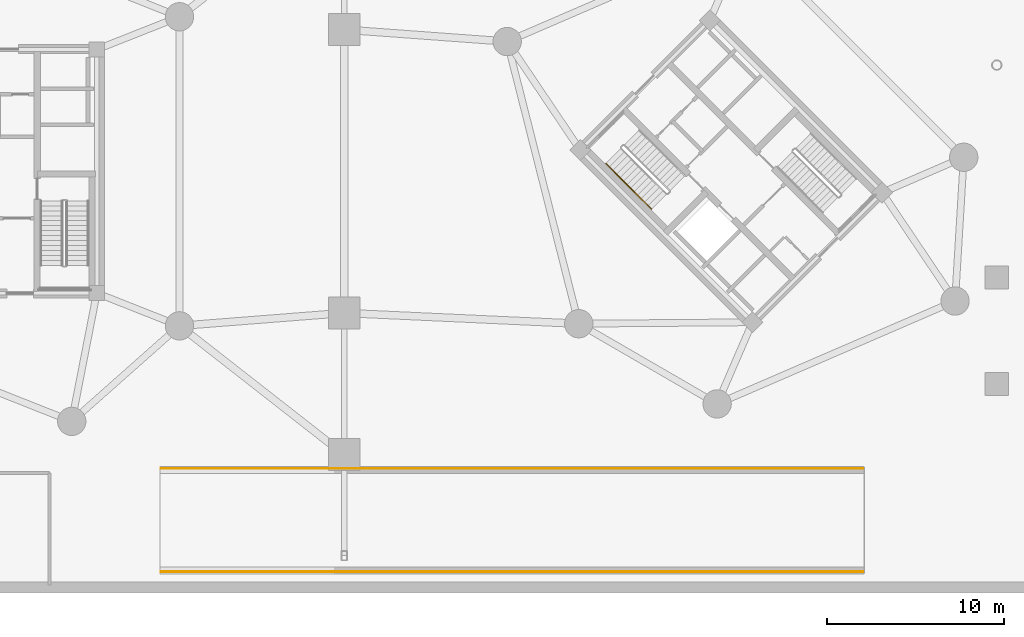
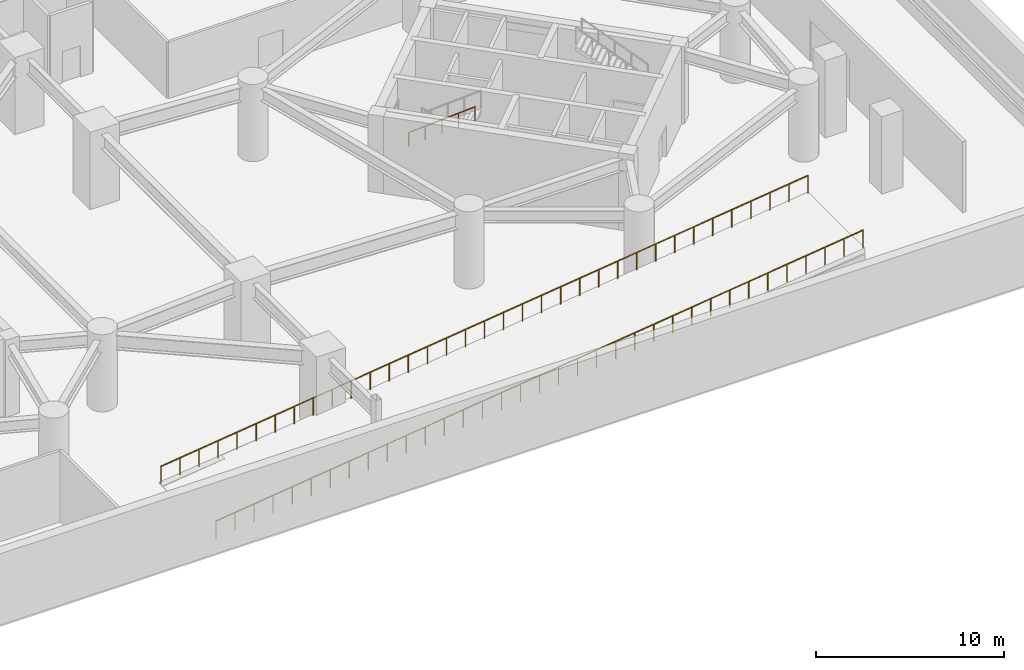
# One storey, part 11 of 14: 3 railings.
"""IFC4 building model written with IfcOpenShell, lengths in metres."""

from ifc_helpers import new_model, si_unit, direction, frame, origin, origin_2d, place, context, subcontext, project, spatial, circle, extrude, material, type_object, element, save


model = new_model("IFC4")

# Units and contexts
model_context = context("Model", 3, precision=1e-05, world=origin(), true_north=direction((0.0, 1.0)))
body_context = subcontext(model_context, "Body", "Model", "MODEL_VIEW")
ifc_project = project(units=[si_unit("LENGTHUNIT", "METRE"), si_unit("AREAUNIT", "SQUARE_METRE"), si_unit("VOLUMEUNIT", "CUBIC_METRE"), si_unit("PLANEANGLEUNIT", "RADIAN"), si_unit("MASSUNIT", "GRAM", prefix="KILO")], contexts=[model_context])

# Site, building, storey
site_placement = place(None, origin())
site = spatial("IfcSite", under=ifc_project, at=site_placement, CompositionType="ELEMENT")
building_placement = place(site_placement, origin())
building = spatial("IfcBuilding", under=site, at=building_placement, Name="Cununo Teusaquillo Station Towers", CompositionType="ELEMENT")
storey_placement = place(building_placement, frame((0.0, 0.0, -5.0)))
storey = spatial("IfcBuildingStorey", under=building, at=storey_placement, Name="B01", CompositionType="ELEMENT", Elevation=-5.0)

# Railings
ifc_material_1 = material(Name="Steel EN 10025-2 S355J2", Category="steel")
railing_type_1 = type_object("IfcRailingType", Name="RL-INT-GUARD", PredefinedType="GUARDRAIL", material=ifc_material_1)
railing_1_placement = place(storey_placement, frame((25.300048828125, 7.719970703125, 0.0400390625)))
element("IfcRailing", 1, at=railing_1_placement, inside=storey, type_object=railing_type_1, Name="B01 Vehicle Ramp North Guardrail", PredefinedType="GUARDRAIL", context=body_context, shape_type="SweptSolid", body=[
    extrude(circle(Radius=0.02392578125, at=origin_2d()), frame((0.0, 0.0, 1.1259765625), z_axis=(0.992266404869, 0.0, 0.124126474892), x_axis=(0.0, 1.0, 0.0)), (0.0, 0.0, 1.0), 39.958984375),
    extrude(circle(Radius=0.02099609375, at=origin_2d()), origin(), (0.0, 0.0, 1.0), 1.101806640625),
    extrude(circle(Radius=0.02099609375, at=origin_2d()), frame((1.166259765625, 0.0, 0.14599609375)), (0.0, 0.0, 1.0), 1.101806640625),
    extrude(circle(Radius=0.02099609375, at=origin_2d()), frame((2.332275390625, 0.0, 0.291748046875)), (0.0, 0.0, 1.0), 1.101806640625),
    extrude(circle(Radius=0.02099609375, at=origin_2d()), frame((3.49853515625, 0.0, 0.437744140625)), (0.0, 0.0, 1.0), 1.101806640625),
    extrude(circle(Radius=0.02099609375, at=origin_2d()), frame((4.664794921875, 0.0, 0.58349609375)), (0.0, 0.0, 1.0), 1.101806640625),
    extrude(circle(Radius=0.02099609375, at=origin_2d()), frame((5.830810546875, 0.0, 0.7294921875)), (0.0, 0.0, 1.0), 1.101806640625),
    extrude(circle(Radius=0.02099609375, at=origin_2d()), frame((6.9970703125, 0.0, 0.875244140625)), (0.0, 0.0, 1.0), 1.101806640625),
    extrude(circle(Radius=0.02099609375, at=origin_2d()), frame((8.163330078125, 0.0, 1.021240234375)), (0.0, 0.0, 1.0), 1.101806640625),
    extrude(circle(Radius=0.02099609375, at=origin_2d()), frame((9.329345703125, 0.0, 1.1669921875)), (0.0, 0.0, 1.0), 1.101806640625),
    extrude(circle(Radius=0.02099609375, at=origin_2d()), frame((10.49560546875, 0.0, 1.31298828125)), (0.0, 0.0, 1.0), 1.101806640625),
    extrude(circle(Radius=0.02099609375, at=origin_2d()), frame((11.66162109375, 0.0, 1.458740234375)), (0.0, 0.0, 1.0), 1.101806640625),
    extrude(circle(Radius=0.02099609375, at=origin_2d()), frame((12.827880859375, 0.0, 1.604736328125)), (0.0, 0.0, 1.0), 1.101806640625),
    extrude(circle(Radius=0.02099609375, at=origin_2d()), frame((13.994140625, 0.0, 1.75048828125)), (0.0, 0.0, 1.0), 1.101806640625),
    extrude(circle(Radius=0.02099609375, at=origin_2d()), frame((15.16015625, 0.0, 1.896484375)), (0.0, 0.0, 1.0), 1.101806640625),
    extrude(circle(Radius=0.02099609375, at=origin_2d()), frame((16.326416015625, 0.0, 2.042236328125)), (0.0, 0.0, 1.0), 1.101806640625),
    extrude(circle(Radius=0.02099609375, at=origin_2d()), frame((17.49267578125, 0.0, 2.188232421875)), (0.0, 0.0, 1.0), 1.101806640625),
    extrude(circle(Radius=0.02099609375, at=origin_2d()), frame((18.65869140625, 0.0, 2.333984375)), (0.0, 0.0, 1.0), 1.101806640625),
    extrude(circle(Radius=0.02099609375, at=origin_2d()), frame((19.824951171875, 0.0, 2.47998046875)), (0.0, 0.0, 1.0), 1.101806640625),
    extrude(circle(Radius=0.02099609375, at=origin_2d()), frame((20.9912109375, 0.0, 2.6259765625)), (0.0, 0.0, 1.0), 1.101806640625),
    extrude(circle(Radius=0.02099609375, at=origin_2d()), frame((22.1572265625, 0.0, 2.771728515625)), (0.0, 0.0, 1.0), 1.101806640625),
    extrude(circle(Radius=0.02099609375, at=origin_2d()), frame((23.323486328125, 0.0, 2.917724609375)), (0.0, 0.0, 1.0), 1.101806640625),
    extrude(circle(Radius=0.02099609375, at=origin_2d()), frame((24.48974609375, 0.0, 3.0634765625)), (0.0, 0.0, 1.0), 1.101806640625),
    extrude(circle(Radius=0.02099609375, at=origin_2d()), frame((25.65576171875, 0.0, 3.20947265625)), (0.0, 0.0, 1.0), 1.101806640625),
    extrude(circle(Radius=0.02099609375, at=origin_2d()), frame((26.822021484375, 0.0, 3.355224609375)), (0.0, 0.0, 1.0), 1.101806640625),
    extrude(circle(Radius=0.02099609375, at=origin_2d()), frame((27.98828125, 0.0, 3.501220703125)), (0.0, 0.0, 1.0), 1.101806640625),
    extrude(circle(Radius=0.02099609375, at=origin_2d()), frame((29.154296875, 0.0, 3.64697265625)), (0.0, 0.0, 1.0), 1.101806640625),
    extrude(circle(Radius=0.02099609375, at=origin_2d()), frame((30.320556640625, 0.0, 3.79296875)), (0.0, 0.0, 1.0), 1.101806640625),
    extrude(circle(Radius=0.02099609375, at=origin_2d()), frame((31.486572265625, 0.0, 3.938720703125)), (0.0, 0.0, 1.0), 1.101806640625),
    extrude(circle(Radius=0.02099609375, at=origin_2d()), frame((32.65283203125, 0.0, 4.084716796875)), (0.0, 0.0, 1.0), 1.101806640625),
    extrude(circle(Radius=0.02099609375, at=origin_2d()), frame((33.819091796875, 0.0, 4.23046875)), (0.0, 0.0, 1.0), 1.101806640625),
    extrude(circle(Radius=0.02099609375, at=origin_2d()), frame((34.985107421875, 0.0, 4.37646484375)), (0.0, 0.0, 1.0), 1.101806640625),
    extrude(circle(Radius=0.02099609375, at=origin_2d()), frame((36.1513671875, 0.0, 4.522216796875)), (0.0, 0.0, 1.0), 1.101806640625),
    extrude(circle(Radius=0.02099609375, at=origin_2d()), frame((37.317626953125, 0.0, 4.668212890625)), (0.0, 0.0, 1.0), 1.101806640625),
    extrude(circle(Radius=0.02099609375, at=origin_2d()), frame((38.483642578125, 0.0, 4.81396484375)), (0.0, 0.0, 1.0), 1.101806640625),
    extrude(circle(Radius=0.02099609375, at=origin_2d()), frame((39.64990234375, 0.0, 4.9599609375)), (0.0, 0.0, 1.0), 1.101806640625),
])
railing_2_placement = place(storey_placement, frame((25.300048828125, 1.8798828125, 0.0400390625)))
element("IfcRailing", 2, at=railing_2_placement, inside=storey, type_object=railing_type_1, Name="B01 Vehicle Ramp South Guardrail", PredefinedType="GUARDRAIL", context=body_context, shape_type="SweptSolid", body=[
    extrude(circle(Radius=0.02392578125, at=origin_2d()), frame((0.0, 0.0, 1.1259765625), z_axis=(0.992266404869, 0.0, 0.124126474892), x_axis=(0.0, 1.0, 0.0)), (0.0, 0.0, 1.0), 39.958984375),
    extrude(circle(Radius=0.02099609375, at=origin_2d()), origin(), (0.0, 0.0, 1.0), 1.101806640625),
    extrude(circle(Radius=0.02099609375, at=origin_2d()), frame((1.166259765625, 0.0, 0.14599609375)), (0.0, 0.0, 1.0), 1.101806640625),
    extrude(circle(Radius=0.02099609375, at=origin_2d()), frame((2.332275390625, 0.0, 0.291748046875)), (0.0, 0.0, 1.0), 1.101806640625),
    extrude(circle(Radius=0.02099609375, at=origin_2d()), frame((3.49853515625, 0.0, 0.437744140625)), (0.0, 0.0, 1.0), 1.101806640625),
    extrude(circle(Radius=0.02099609375, at=origin_2d()), frame((4.664794921875, 0.0, 0.58349609375)), (0.0, 0.0, 1.0), 1.101806640625),
    extrude(circle(Radius=0.02099609375, at=origin_2d()), frame((5.830810546875, 0.0, 0.7294921875)), (0.0, 0.0, 1.0), 1.101806640625),
    extrude(circle(Radius=0.02099609375, at=origin_2d()), frame((6.9970703125, 0.0, 0.875244140625)), (0.0, 0.0, 1.0), 1.101806640625),
    extrude(circle(Radius=0.02099609375, at=origin_2d()), frame((8.163330078125, 0.0, 1.021240234375)), (0.0, 0.0, 1.0), 1.101806640625),
    extrude(circle(Radius=0.02099609375, at=origin_2d()), frame((9.329345703125, 0.0, 1.1669921875)), (0.0, 0.0, 1.0), 1.101806640625),
    extrude(circle(Radius=0.02099609375, at=origin_2d()), frame((10.49560546875, 0.0, 1.31298828125)), (0.0, 0.0, 1.0), 1.101806640625),
    extrude(circle(Radius=0.02099609375, at=origin_2d()), frame((11.66162109375, 0.0, 1.458740234375)), (0.0, 0.0, 1.0), 1.101806640625),
    extrude(circle(Radius=0.02099609375, at=origin_2d()), frame((12.827880859375, 0.0, 1.604736328125)), (0.0, 0.0, 1.0), 1.101806640625),
    extrude(circle(Radius=0.02099609375, at=origin_2d()), frame((13.994140625, 0.0, 1.75048828125)), (0.0, 0.0, 1.0), 1.101806640625),
    extrude(circle(Radius=0.02099609375, at=origin_2d()), frame((15.16015625, 0.0, 1.896484375)), (0.0, 0.0, 1.0), 1.101806640625),
    extrude(circle(Radius=0.02099609375, at=origin_2d()), frame((16.326416015625, 0.0, 2.042236328125)), (0.0, 0.0, 1.0), 1.101806640625),
    extrude(circle(Radius=0.02099609375, at=origin_2d()), frame((17.49267578125, 0.0, 2.188232421875)), (0.0, 0.0, 1.0), 1.101806640625),
    extrude(circle(Radius=0.02099609375, at=origin_2d()), frame((18.65869140625, 0.0, 2.333984375)), (0.0, 0.0, 1.0), 1.101806640625),
    extrude(circle(Radius=0.02099609375, at=origin_2d()), frame((19.824951171875, 0.0, 2.47998046875)), (0.0, 0.0, 1.0), 1.101806640625),
    extrude(circle(Radius=0.02099609375, at=origin_2d()), frame((20.9912109375, 0.0, 2.6259765625)), (0.0, 0.0, 1.0), 1.101806640625),
    extrude(circle(Radius=0.02099609375, at=origin_2d()), frame((22.1572265625, 0.0, 2.771728515625)), (0.0, 0.0, 1.0), 1.101806640625),
    extrude(circle(Radius=0.02099609375, at=origin_2d()), frame((23.323486328125, 0.0, 2.917724609375)), (0.0, 0.0, 1.0), 1.101806640625),
    extrude(circle(Radius=0.02099609375, at=origin_2d()), frame((24.48974609375, 0.0, 3.0634765625)), (0.0, 0.0, 1.0), 1.101806640625),
    extrude(circle(Radius=0.02099609375, at=origin_2d()), frame((25.65576171875, 0.0, 3.20947265625)), (0.0, 0.0, 1.0), 1.101806640625),
    extrude(circle(Radius=0.02099609375, at=origin_2d()), frame((26.822021484375, 0.0, 3.355224609375)), (0.0, 0.0, 1.0), 1.101806640625),
    extrude(circle(Radius=0.02099609375, at=origin_2d()), frame((27.98828125, 0.0, 3.501220703125)), (0.0, 0.0, 1.0), 1.101806640625),
    extrude(circle(Radius=0.02099609375, at=origin_2d()), frame((29.154296875, 0.0, 3.64697265625)), (0.0, 0.0, 1.0), 1.101806640625),
    extrude(circle(Radius=0.02099609375, at=origin_2d()), frame((30.320556640625, 0.0, 3.79296875)), (0.0, 0.0, 1.0), 1.101806640625),
    extrude(circle(Radius=0.02099609375, at=origin_2d()), frame((31.486572265625, 0.0, 3.938720703125)), (0.0, 0.0, 1.0), 1.101806640625),
    extrude(circle(Radius=0.02099609375, at=origin_2d()), frame((32.65283203125, 0.0, 4.084716796875)), (0.0, 0.0, 1.0), 1.101806640625),
    extrude(circle(Radius=0.02099609375, at=origin_2d()), frame((33.819091796875, 0.0, 4.23046875)), (0.0, 0.0, 1.0), 1.101806640625),
    extrude(circle(Radius=0.02099609375, at=origin_2d()), frame((34.985107421875, 0.0, 4.37646484375)), (0.0, 0.0, 1.0), 1.101806640625),
    extrude(circle(Radius=0.02099609375, at=origin_2d()), frame((36.1513671875, 0.0, 4.522216796875)), (0.0, 0.0, 1.0), 1.101806640625),
    extrude(circle(Radius=0.02099609375, at=origin_2d()), frame((37.317626953125, 0.0, 4.668212890625)), (0.0, 0.0, 1.0), 1.101806640625),
    extrude(circle(Radius=0.02099609375, at=origin_2d()), frame((38.483642578125, 0.0, 4.81396484375)), (0.0, 0.0, 1.0), 1.101806640625),
    extrude(circle(Radius=0.02099609375, at=origin_2d()), frame((39.64990234375, 0.0, 4.9599609375)), (0.0, 0.0, 1.0), 1.101806640625),
])
ifc_material_2 = material(Name="Steel EN 10025-2 S355J2", Category="steel")
railing_type_2 = type_object("IfcRailingType", Name="RL-INT-HRAIL", PredefinedType="HANDRAIL", material=ifc_material_2)
railing_3_placement = place(storey_placement, frame((50.428955078125, 24.9384765625, 2.678466796875)))
element("IfcRailing", 3, at=railing_3_placement, inside=storey, type_object=railing_type_2, Name="B01 ST-T2-1 stair handrail 2", PredefinedType="HANDRAIL", context=body_context, shape_type="SweptSolid", body=[
    extrude(circle(Radius=0.02392578125, at=origin_2d()), frame((0.0, 0.0, 0.8759765625), z_axis=(0.596182046077, -0.596182046077, 0.537711759096), x_axis=(0.707106781187, 0.707106781187, 0.0)), (0.0, 0.0, 1.0), 4.3173828125),
    extrude(circle(Radius=0.02099609375, at=origin_2d()), origin(), (0.0, 0.0, 1.0), 0.851806640625),
    extrude(circle(Radius=0.02099609375, at=origin_2d()), frame((0.6435546875, -0.6435546875, 0.580322265625)), (0.0, 0.0, 1.0), 0.851806640625),
    extrude(circle(Radius=0.02099609375, at=origin_2d()), frame((1.287109375, -1.287109375, 1.16064453125)), (0.0, 0.0, 1.0), 0.851806640625),
    extrude(circle(Radius=0.02099609375, at=origin_2d()), frame((1.930419921875, -1.930419921875, 1.7412109375)), (0.0, 0.0, 1.0), 0.851806640625),
    extrude(circle(Radius=0.02099609375, at=origin_2d()), frame((2.573974609375, -2.573974609375, 2.321533203125)), (0.0, 0.0, 1.0), 0.851806640625),
])

save(model, "model.ifc")
